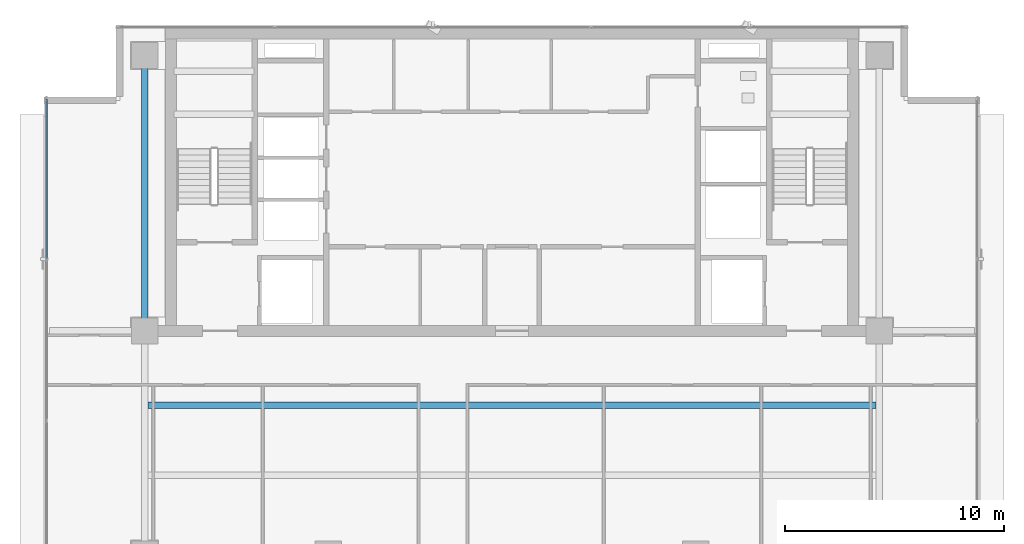
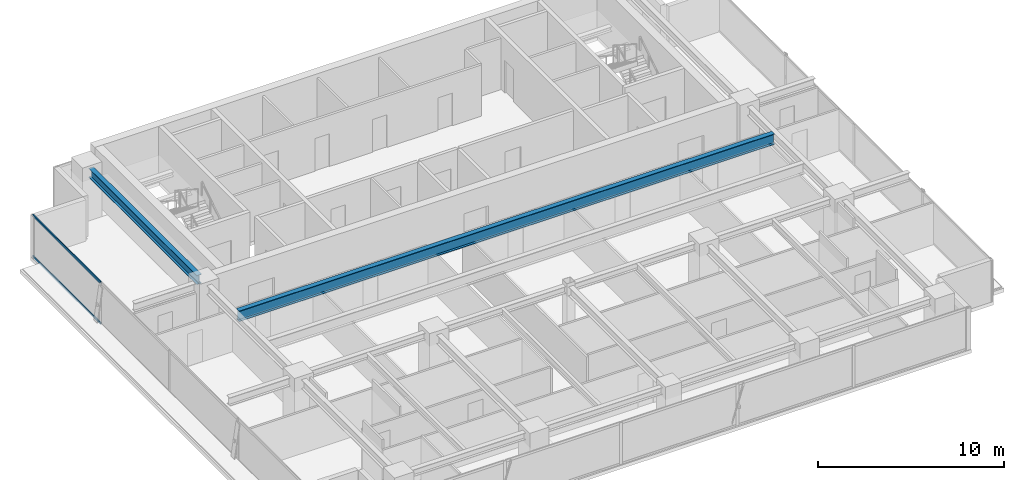
# One storey, part 8 of 22: 2 beams, 2 members, 1 element without a shape of its own.
"""IFC4 building model written with IfcOpenShell, lengths in metres."""

from ifc_helpers import new_model, si_unit, direction, frame, origin, origin_2d, place, context, subcontext, project, spatial, hollow_rectangle, i_section, extrude, source, transform, mapped, material, layer, layer_set, material_profile, profile_set, type_object, element, aggregate, save


model = new_model("IFC4")

# Units and contexts
model_context = context("Model", 3, precision=1e-05, world=origin(), true_north=direction((0.0, 1.0)))
body_context = subcontext(model_context, "Body", "Model", "MODEL_VIEW")
ifc_project = project(units=[si_unit("LENGTHUNIT", "METRE"), si_unit("AREAUNIT", "SQUARE_METRE"), si_unit("VOLUMEUNIT", "CUBIC_METRE"), si_unit("PLANEANGLEUNIT", "RADIAN"), si_unit("MASSUNIT", "GRAM", prefix="KILO")], contexts=[model_context])

# Site, building, storey
site_placement = place(None, origin())
site = spatial("IfcSite", under=ifc_project, at=site_placement, CompositionType="ELEMENT")
building_placement = place(site_placement, origin())
building = spatial("IfcBuilding", under=site, at=building_placement, Name="Sumidabori Civic Tower", CompositionType="ELEMENT")
storey_placement = place(building_placement, frame((0.0, 0.0, 272.0)))
storey = spatial("IfcBuildingStorey", under=building, at=storey_placement, Name="L71", CompositionType="ELEMENT", Elevation=272.0)

# Beams
ifc_material_1 = material(Name="Steel SN490", Category="steel")
ifc_material_profile_1 = material_profile(ifc_material_1, i_section(OverallWidth=0.300048828125, OverallDepth=0.60009765625, WebThickness=0.015380859375, FlangeThickness=0.030029296875, at=origin_2d()), Name="HE 600 B")
ifc_profile_set_1 = profile_set([ifc_material_profile_1], Name="Steel SN490")
beam_type_1 = type_object("IfcBeamType", Name="BM-GIRD-600", PredefinedType="BEAM", material=ifc_profile_set_1)
shared_shape_1 = source(origin(), body_context, "Body", "SweptSolid", [
    extrude(i_section(OverallWidth=0.300048828125, OverallDepth=0.60009765625, WebThickness=0.015380859375, FlangeThickness=0.030029296875, at=origin_2d()), origin(), (0.0, 0.0, 1.0), 11.64013671875),
])
beam_1_placement = place(storey_placement, frame((-16.800048828125, 10.679931640625, 3.070068359375), z_axis=(0.0, 1.0, 0.0), x_axis=(-1.0, 0.0, 0.0)))
element("IfcBeam", 1, at=beam_1_placement, inside=storey, type_object=beam_type_1, Name="Primary Girder L71 GY-11", PredefinedType="BEAM", context=body_context, shape_type="MappedRepresentation", body=[
    mapped(shared_shape_1, transform((0.0, 0.0, 0.0), x_axis=(1.0, 0.0, 0.0), y_axis=(0.0, 1.0, 0.0), z_axis=(0.0, 0.0, 1.0), scale=1.0)),
])
ifc_material_profile_2 = material_profile(ifc_material_1, i_section(OverallWidth=0.300048828125, OverallDepth=0.699951171875, WebThickness=0.01708984375, FlangeThickness=0.031982421875, at=origin_2d()), Name="HE 700 B")
ifc_profile_set_2 = profile_set([ifc_material_profile_2], Name="Steel SN490")
beam_type_2 = type_object("IfcBeamType", Name="BM-GIRD-700", PredefinedType="BEAM", material=ifc_profile_set_2)
shared_shape_2 = source(origin(), body_context, "Body", "SweptSolid", [
    extrude(i_section(OverallWidth=0.300048828125, OverallDepth=0.699951171875, WebThickness=0.01708984375, FlangeThickness=0.031982421875, at=origin_2d()), origin(), (0.0, 0.0, 1.0), 33.2998046875),
])
beam_2_placement = place(storey_placement, frame((-16.64990234375, 6.800048828125, 3.02001953125), z_axis=(1.0, 0.0, 0.0), x_axis=(0.0, 1.0, 0.0)))
element("IfcBeam", 2, at=beam_2_placement, inside=storey, type_object=beam_type_2, Name="North Bay Floor Beam L71 JSTN-23", PredefinedType="BEAM", context=body_context, shape_type="MappedRepresentation", body=[
    mapped(shared_shape_2, transform((0.0, 0.0, 0.0), x_axis=(1.0, 0.0, 0.0), y_axis=(0.0, 1.0, 0.0), z_axis=(0.0, 0.0, 1.0), scale=1.0)),
])

# Curtain wall, members
ifc_material_2 = material(Name="Anodised Bronze Aluminium AW-6063-T6", Category="aluminium")
ifc_layer = layer(ifc_material_2, 0.179931640625, Name="Anodised Bronze Aluminium AW-6063-T6")
ifc_layer_set = layer_set([ifc_layer], Name="Anodised Bronze Aluminium AW-6063-T6")
curtain_wall_type = type_object("IfcCurtainWallType", Name="CW-SYS-6", PredefinedType="NOTDEFINED", material=ifc_layer_set)
curtain_wall_placement = place(storey_placement, origin())
curtain_wall = element("IfcCurtainWall", 3, at=curtain_wall_placement, inside=storey, type_object=curtain_wall_type, Name="Curtain Wall CW:L71:R10", PredefinedType="NOTDEFINED")
ifc_material_profile_3 = material_profile(ifc_material_2, hollow_rectangle(XDim=0.06494140625, YDim=0.14990234375, WallThickness=0.0048828125, at=origin_2d()), Name="ALU TRANSOM 150x65")
ifc_profile_set_3 = profile_set([ifc_material_profile_3], Name="Anodised Bronze Aluminium AW-6063-T6")
member_type = type_object("IfcMemberType", Name="CW-TRN-150", PredefinedType="USERDEFINED", material=ifc_profile_set_3)
shared_shape_3 = source(origin(), body_context, "Body", "SweptSolid", [
    extrude(hollow_rectangle(XDim=0.06494140625, YDim=0.14990234375, WallThickness=0.0048828125, at=origin_2d()), origin(), (0.0, 0.0, 1.0), 7.280029296875),
])
member_1_placement = place(storey_placement, frame((-21.280029296875, 20.800048828125, 0.032470703125), z_axis=(0.0, -1.0, 0.0), x_axis=(1.0, 0.0, 0.0)))
member_1 = element("IfcMember", 4, at=member_1_placement, type_object=member_type, Name="CW-6 transom 1.1", ObjectType="TRANSOM", PredefinedType="USERDEFINED", context=body_context, shape_type="MappedRepresentation", body=[
    mapped(shared_shape_3, transform((0.0, 0.0, 0.0), x_axis=(1.0, 0.0, 0.0), y_axis=(0.0, 1.0, 0.0), z_axis=(0.0, 0.0, 1.0), scale=1.0)),
])
member_2_placement = place(storey_placement, frame((-21.280029296875, 20.800048828125, 2.717529296875), z_axis=(0.0, -1.0, 0.0), x_axis=(1.0, 0.0, 0.0)))
member_2 = element("IfcMember", 5, at=member_2_placement, type_object=member_type, Name="CW-6 transom 1.2", ObjectType="TRANSOM", PredefinedType="USERDEFINED", context=body_context, shape_type="MappedRepresentation", body=[
    mapped(shared_shape_3, transform((0.0, 0.0, 0.0), x_axis=(1.0, 0.0, 0.0), y_axis=(0.0, 1.0, 0.0), z_axis=(0.0, 0.0, 1.0), scale=1.0)),
])
aggregate(curtain_wall, [member_1, member_2])

save(model, "model.ifc")
